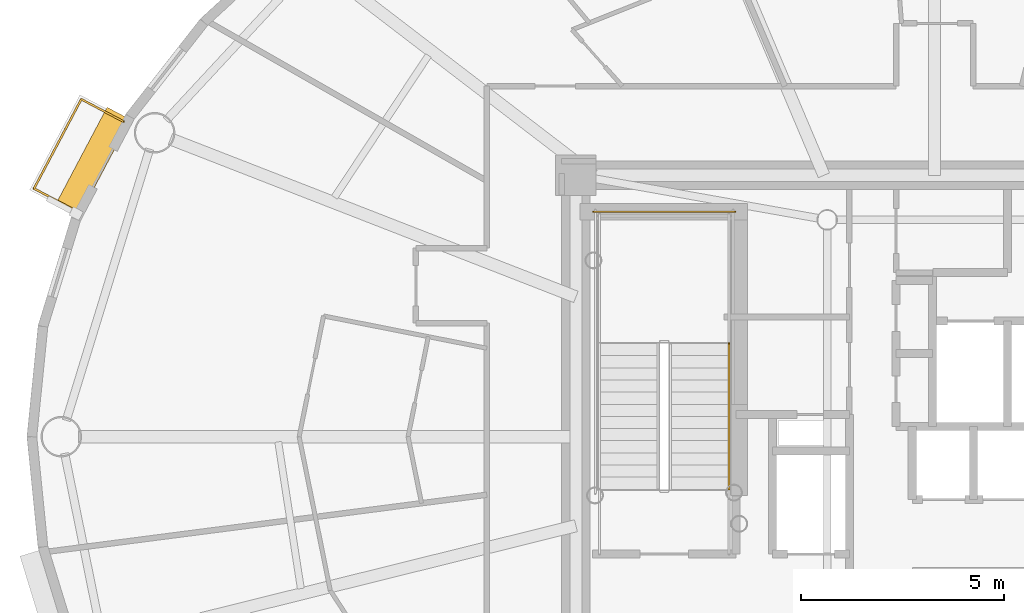
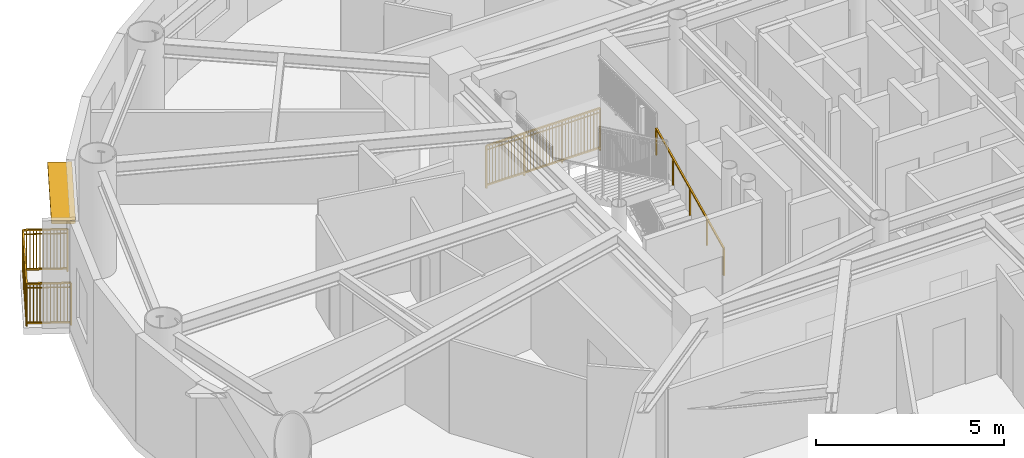
# One storey, part 14 of 17: 3 railings, 1 shading device.
"""IFC4 building model written with IfcOpenShell, lengths in metres."""

from ifc_helpers import new_model, si_unit, direction, frame, origin, origin_2d, place, context, subcontext, project, spatial, rectangle, extrude, source, transform, mapped, material, layer, layer_set, type_object, element, save


model = new_model("IFC4")

# Units and contexts
model_context = context("Model", 3, precision=1e-05, world=origin(), true_north=direction((0.0, 1.0)))
body_context = subcontext(model_context, "Body", "Model", "MODEL_VIEW")
ifc_project = project(units=[si_unit("LENGTHUNIT", "METRE"), si_unit("AREAUNIT", "SQUARE_METRE"), si_unit("VOLUMEUNIT", "CUBIC_METRE"), si_unit("PLANEANGLEUNIT", "RADIAN"), si_unit("MASSUNIT", "GRAM", prefix="KILO")], contexts=[model_context])

# Site, building, storey
site_placement = place(None, origin())
site = spatial("IfcSite", under=ifc_project, at=site_placement, CompositionType="ELEMENT")
building_placement = place(site_placement, origin())
building = spatial("IfcBuilding", under=site, at=building_placement, Name="Linh Dai School and Residence Tower", CompositionType="ELEMENT")
storey_placement = place(building_placement, frame((0.0, 0.0, 303.0)))
storey = spatial("IfcBuildingStorey", under=building, at=storey_placement, Name="L75", CompositionType="ELEMENT", Elevation=303.0)

# Shading device
ifc_material_1 = material(Name="Terracotta Ceramic Sunshade", Category="masonry")
ifc_layer = layer(ifc_material_1, 0.10009765625)
ifc_layer_set = layer_set([ifc_layer], Name="Terracotta Ceramic Sunshade")
shading_device_type = type_object("IfcShadingDeviceType", Name="SHD-TC-650", PredefinedType="USERDEFINED", material=ifc_layer_set)
shared_shape_1 = source(origin(), body_context, "Body", "SweptSolid", [
    extrude(rectangle(XDim=2.739501953125, YDim=0.64990234375, at=origin_2d()), origin(), (0.0, 0.0, 1.0), 0.10009765625),
])
shading_device_placement = place(storey_placement, frame((15.22705078125, 33.766845703125, 3.3798828125), z_axis=(0.0, 0.0, 1.0), x_axis=(0.467603531201, 0.883938310975, 0.0)))
element("IfcShadingDevice", 1, at=shading_device_placement, inside=storey, type_object=shading_device_type, Name="L75 Terracotta Horizontal Sunshade Band 18", ObjectType="SUNSHADE", PredefinedType="USERDEFINED", context=body_context, shape_type="MappedRepresentation", body=[
    mapped(shared_shape_1, transform((0.0, 0.0, 0.0), x_axis=(1.0, 0.0, 0.0), y_axis=(0.0, 1.0, 0.0), z_axis=(0.0, 0.0, 1.0), scale=1.0)),
])

# Railings
ifc_material_2 = material(Name="Structural Steel S355JR", Category="steel")
railing_type_1 = type_object("IfcRailingType", Name="RL-BAL-1400", PredefinedType="BALUSTRADE", material=ifc_material_2)
shared_shape_2 = source(origin(), body_context, "Body", "SweptSolid", [
    extrude(rectangle(XDim=0.048095703125, YDim=0.048095703125, at=origin_2d()), frame((0.0, 0.0, 1.3759765625), z_axis=(-0.883928800226, 0.467621509483, 0.0), x_axis=(-0.467621509483, -0.883928800226, 0.0)), (0.0, 0.0, 1.0), 1.179931640625),
    extrude(rectangle(XDim=0.048095703125, YDim=0.048095703125, at=origin_2d()), frame((0.0, 0.0, 0.10009765625), z_axis=(-0.883928800226, 0.467621509483, 0.0), x_axis=(-0.467621509483, -0.883928800226, 0.0)), (0.0, 0.0, 1.0), 1.179931640625),
    extrude(rectangle(XDim=0.030029296875, YDim=0.030029296875, at=origin_2d()), frame((0.0, 0.0, 1.239990234375), z_axis=(-0.883928800226, 0.467621509483, 0.0), x_axis=(-0.467621509483, -0.883928800226, 0.0)), (0.0, 0.0, 1.0), 1.179931640625),
    extrude(rectangle(XDim=0.02001953125, YDim=0.02001953125, at=origin_2d()), frame((-0.080322265625, 0.04248046875, 0.10009765625)), (0.0, 0.0, 1.0), 1.251708984375),
    extrude(rectangle(XDim=0.02001953125, YDim=0.02001953125, at=origin_2d()), frame((-0.160400390625, 0.0849609375, 0.10009765625)), (0.0, 0.0, 1.0), 1.251708984375),
    extrude(rectangle(XDim=0.02001953125, YDim=0.02001953125, at=origin_2d()), frame((-0.24072265625, 0.12744140625, 0.10009765625)), (0.0, 0.0, 1.0), 1.251708984375),
    extrude(rectangle(XDim=0.02001953125, YDim=0.02001953125, at=origin_2d()), frame((-0.32080078125, 0.169677734375, 0.10009765625)), (0.0, 0.0, 1.0), 1.251708984375),
    extrude(rectangle(XDim=0.02001953125, YDim=0.02001953125, at=origin_2d()), frame((-0.401123046875, 0.212158203125, 0.10009765625)), (0.0, 0.0, 1.0), 1.251708984375),
    extrude(rectangle(XDim=0.02001953125, YDim=0.02001953125, at=origin_2d()), frame((-0.4814453125, 0.254638671875, 0.10009765625)), (0.0, 0.0, 1.0), 1.251708984375),
    extrude(rectangle(XDim=0.02001953125, YDim=0.02001953125, at=origin_2d()), frame((-0.5615234375, 0.297119140625, 0.10009765625)), (0.0, 0.0, 1.0), 1.251708984375),
    extrude(rectangle(XDim=0.02001953125, YDim=0.02001953125, at=origin_2d()), frame((-0.641845703125, 0.339599609375, 0.10009765625)), (0.0, 0.0, 1.0), 1.251708984375),
    extrude(rectangle(XDim=0.02001953125, YDim=0.02001953125, at=origin_2d()), frame((-0.72216796875, 0.382080078125, 0.10009765625)), (0.0, 0.0, 1.0), 1.251708984375),
    extrude(rectangle(XDim=0.02001953125, YDim=0.02001953125, at=origin_2d()), frame((-0.80224609375, 0.42431640625, 0.10009765625)), (0.0, 0.0, 1.0), 1.251708984375),
    extrude(rectangle(XDim=0.02001953125, YDim=0.02001953125, at=origin_2d()), frame((-0.882568359375, 0.466796875, 0.10009765625)), (0.0, 0.0, 1.0), 1.251708984375),
    extrude(rectangle(XDim=0.02001953125, YDim=0.02001953125, at=origin_2d()), frame((-0.962646484375, 0.50927734375, 0.10009765625)), (0.0, 0.0, 1.0), 1.251708984375),
    extrude(rectangle(XDim=0.048095703125, YDim=0.048095703125, at=origin_2d()), frame((-1.04296875, 0.5517578125, 1.3759765625), z_axis=(0.467577317515, 0.883952177522, 0.0), x_axis=(-0.883952177522, 0.467577317515, 0.0)), (0.0, 0.0, 1.0), 2.49365234375),
    extrude(rectangle(XDim=0.048095703125, YDim=0.048095703125, at=origin_2d()), frame((-1.04296875, 0.5517578125, 0.10009765625), z_axis=(0.467577317515, 0.883952177522, 0.0), x_axis=(-0.883952177522, 0.467577317515, 0.0)), (0.0, 0.0, 1.0), 2.49365234375),
    extrude(rectangle(XDim=0.030029296875, YDim=0.030029296875, at=origin_2d()), frame((-1.04296875, 0.5517578125, 1.239990234375), z_axis=(0.467577317515, 0.883952177522, 0.0), x_axis=(-0.883952177522, 0.467577317515, 0.0)), (0.0, 0.0, 1.0), 2.49365234375),
    extrude(rectangle(XDim=0.02001953125, YDim=0.02001953125, at=origin_2d()), frame((-0.998046875, 0.636474609375, 0.10009765625)), (0.0, 0.0, 1.0), 1.251708984375),
    extrude(rectangle(XDim=0.02001953125, YDim=0.02001953125, at=origin_2d()), frame((-0.953369140625, 0.721435546875, 0.10009765625)), (0.0, 0.0, 1.0), 1.251708984375),
    extrude(rectangle(XDim=0.02001953125, YDim=0.02001953125, at=origin_2d()), frame((-0.908447265625, 0.80615234375, 0.10009765625)), (0.0, 0.0, 1.0), 1.251708984375),
    extrude(rectangle(XDim=0.02001953125, YDim=0.02001953125, at=origin_2d()), frame((-0.863525390625, 0.890869140625, 0.10009765625)), (0.0, 0.0, 1.0), 1.251708984375),
    extrude(rectangle(XDim=0.02001953125, YDim=0.02001953125, at=origin_2d()), frame((-0.81884765625, 0.9755859375, 0.10009765625)), (0.0, 0.0, 1.0), 1.251708984375),
    extrude(rectangle(XDim=0.02001953125, YDim=0.02001953125, at=origin_2d()), frame((-0.77392578125, 1.060546875, 0.10009765625)), (0.0, 0.0, 1.0), 1.251708984375),
    extrude(rectangle(XDim=0.02001953125, YDim=0.02001953125, at=origin_2d()), frame((-0.72900390625, 1.145263671875, 0.10009765625)), (0.0, 0.0, 1.0), 1.251708984375),
    extrude(rectangle(XDim=0.02001953125, YDim=0.02001953125, at=origin_2d()), frame((-0.68408203125, 1.22998046875, 0.10009765625)), (0.0, 0.0, 1.0), 1.251708984375),
    extrude(rectangle(XDim=0.02001953125, YDim=0.02001953125, at=origin_2d()), frame((-0.594482421875, 1.399658203125, 0.10009765625)), (0.0, 0.0, 1.0), 1.251708984375),
    extrude(rectangle(XDim=0.02001953125, YDim=0.02001953125, at=origin_2d()), frame((-0.549560546875, 1.484375, 0.10009765625)), (0.0, 0.0, 1.0), 1.251708984375),
    extrude(rectangle(XDim=0.02001953125, YDim=0.02001953125, at=origin_2d()), frame((-0.5048828125, 1.569091796875, 0.10009765625)), (0.0, 0.0, 1.0), 1.251708984375),
    extrude(rectangle(XDim=0.02001953125, YDim=0.02001953125, at=origin_2d()), frame((-0.4599609375, 1.65380859375, 0.10009765625)), (0.0, 0.0, 1.0), 1.251708984375),
    extrude(rectangle(XDim=0.02001953125, YDim=0.02001953125, at=origin_2d()), frame((-0.4150390625, 1.73876953125, 0.10009765625)), (0.0, 0.0, 1.0), 1.251708984375),
    extrude(rectangle(XDim=0.02001953125, YDim=0.02001953125, at=origin_2d()), frame((-0.370361328125, 1.823486328125, 0.10009765625)), (0.0, 0.0, 1.0), 1.251708984375),
    extrude(rectangle(XDim=0.02001953125, YDim=0.02001953125, at=origin_2d()), frame((-0.325439453125, 1.908203125, 0.10009765625)), (0.0, 0.0, 1.0), 1.251708984375),
    extrude(rectangle(XDim=0.02001953125, YDim=0.02001953125, at=origin_2d()), frame((-0.23583984375, 2.077880859375, 0.10009765625)), (0.0, 0.0, 1.0), 1.251708984375),
    extrude(rectangle(XDim=0.02001953125, YDim=0.02001953125, at=origin_2d()), frame((-0.19091796875, 2.16259765625, 0.10009765625)), (0.0, 0.0, 1.0), 1.251708984375),
    extrude(rectangle(XDim=0.02001953125, YDim=0.02001953125, at=origin_2d()), frame((-0.14599609375, 2.247314453125, 0.10009765625)), (0.0, 0.0, 1.0), 1.251708984375),
    extrude(rectangle(XDim=0.02001953125, YDim=0.02001953125, at=origin_2d()), frame((-0.10107421875, 2.332275390625, 0.10009765625)), (0.0, 0.0, 1.0), 1.251708984375),
    extrude(rectangle(XDim=0.02001953125, YDim=0.02001953125, at=origin_2d()), frame((-0.056396484375, 2.4169921875, 0.10009765625)), (0.0, 0.0, 1.0), 1.251708984375),
    extrude(rectangle(XDim=0.02001953125, YDim=0.02001953125, at=origin_2d()), frame((-0.011474609375, 2.501708984375, 0.10009765625)), (0.0, 0.0, 1.0), 1.251708984375),
    extrude(rectangle(XDim=0.02001953125, YDim=0.02001953125, at=origin_2d()), frame((0.033447265625, 2.58642578125, 0.10009765625)), (0.0, 0.0, 1.0), 1.251708984375),
    extrude(rectangle(XDim=0.02001953125, YDim=0.02001953125, at=origin_2d()), frame((0.078125, 2.67138671875, 0.10009765625)), (0.0, 0.0, 1.0), 1.251708984375),
    extrude(rectangle(XDim=0.048095703125, YDim=0.048095703125, at=origin_2d()), frame((0.123046875, 2.756103515625, 1.3759765625), z_axis=(0.883928800226, -0.467621509483, 0.0), x_axis=(0.467621509483, 0.883928800226, 0.0)), (0.0, 0.0, 1.0), 1.179931640625),
    extrude(rectangle(XDim=0.048095703125, YDim=0.048095703125, at=origin_2d()), frame((0.123046875, 2.756103515625, 0.10009765625), z_axis=(0.883928800226, -0.467621509483, 0.0), x_axis=(0.467621509483, 0.883928800226, 0.0)), (0.0, 0.0, 1.0), 1.179931640625),
    extrude(rectangle(XDim=0.030029296875, YDim=0.030029296875, at=origin_2d()), frame((0.123046875, 2.756103515625, 1.239990234375), z_axis=(0.883928800226, -0.467621509483, 0.0), x_axis=(0.467621509483, 0.883928800226, 0.0)), (0.0, 0.0, 1.0), 1.179931640625),
    extrude(rectangle(XDim=0.02001953125, YDim=0.02001953125, at=origin_2d()), frame((0.203369140625, 2.713623046875, 0.10009765625)), (0.0, 0.0, 1.0), 1.251708984375),
    extrude(rectangle(XDim=0.02001953125, YDim=0.02001953125, at=origin_2d()), frame((0.283447265625, 2.671142578125, 0.10009765625)), (0.0, 0.0, 1.0), 1.251708984375),
    extrude(rectangle(XDim=0.02001953125, YDim=0.02001953125, at=origin_2d()), frame((0.36376953125, 2.628662109375, 0.10009765625)), (0.0, 0.0, 1.0), 1.251708984375),
    extrude(rectangle(XDim=0.02001953125, YDim=0.02001953125, at=origin_2d()), frame((0.44384765625, 2.58642578125, 0.10009765625)), (0.0, 0.0, 1.0), 1.251708984375),
    extrude(rectangle(XDim=0.02001953125, YDim=0.02001953125, at=origin_2d()), frame((0.524169921875, 2.5439453125, 0.10009765625)), (0.0, 0.0, 1.0), 1.251708984375),
    extrude(rectangle(XDim=0.02001953125, YDim=0.02001953125, at=origin_2d()), frame((0.6044921875, 2.50146484375, 0.10009765625)), (0.0, 0.0, 1.0), 1.251708984375),
    extrude(rectangle(XDim=0.02001953125, YDim=0.02001953125, at=origin_2d()), frame((0.6845703125, 2.458984375, 0.10009765625)), (0.0, 0.0, 1.0), 1.251708984375),
    extrude(rectangle(XDim=0.02001953125, YDim=0.02001953125, at=origin_2d()), frame((0.764892578125, 2.41650390625, 0.10009765625)), (0.0, 0.0, 1.0), 1.251708984375),
    extrude(rectangle(XDim=0.02001953125, YDim=0.02001953125, at=origin_2d()), frame((0.84521484375, 2.3740234375, 0.10009765625)), (0.0, 0.0, 1.0), 1.251708984375),
    extrude(rectangle(XDim=0.02001953125, YDim=0.02001953125, at=origin_2d()), frame((0.92529296875, 2.331787109375, 0.10009765625)), (0.0, 0.0, 1.0), 1.251708984375),
    extrude(rectangle(XDim=0.02001953125, YDim=0.02001953125, at=origin_2d()), frame((1.005615234375, 2.289306640625, 0.10009765625)), (0.0, 0.0, 1.0), 1.251708984375),
    extrude(rectangle(XDim=0.02001953125, YDim=0.02001953125, at=origin_2d()), frame((1.085693359375, 2.246826171875, 0.10009765625)), (0.0, 0.0, 1.0), 1.251708984375),
    extrude(rectangle(XDim=0.0419921875, YDim=0.0419921875, at=origin_2d()), origin(), (0.0, 0.0, 1.0), 1.3759765625),
    extrude(rectangle(XDim=0.0419921875, YDim=0.0419921875, at=origin_2d()), frame((-1.04296875, 0.5517578125, 0.0)), (0.0, 0.0, 1.0), 1.3759765625),
    extrude(rectangle(XDim=0.0419921875, YDim=0.0419921875, at=origin_2d()), frame((-0.654296875, 1.28662109375, 0.0)), (0.0, 0.0, 1.0), 1.3759765625),
    extrude(rectangle(XDim=0.0419921875, YDim=0.0419921875, at=origin_2d()), frame((-0.265625, 2.021240234375, 0.0)), (0.0, 0.0, 1.0), 1.3759765625),
    extrude(rectangle(XDim=0.0419921875, YDim=0.0419921875, at=origin_2d()), frame((0.123046875, 2.756103515625, 0.0)), (0.0, 0.0, 1.0), 1.3759765625),
    extrude(rectangle(XDim=0.0419921875, YDim=0.0419921875, at=origin_2d()), frame((1.166015625, 2.204345703125, 0.0)), (0.0, 0.0, 1.0), 1.3759765625),
])
railing_1_placement = place(storey_placement, frame((14.82080078125, 32.571044921875, 0.0)))
element("IfcRailing", 2, at=railing_1_placement, inside=storey, type_object=railing_type_1, Name="L75 Balcony Safety Balustrade 18", PredefinedType="BALUSTRADE", context=body_context, shape_type="MappedRepresentation", body=[
    mapped(shared_shape_2, transform((0.0, 0.0, 0.0), x_axis=(1.0, 0.0, 0.0), y_axis=(0.0, 1.0, 0.0), z_axis=(0.0, 0.0, 1.0), scale=1.0)),
])
railing_type_2 = type_object("IfcRailingType", Name="RL-ST-GUARD-1400", PredefinedType="GUARDRAIL", material=ifc_material_2)
shared_shape_3 = source(origin(), body_context, "Body", "SweptSolid", [
    extrude(rectangle(XDim=0.048095703125, YDim=0.048095703125, at=origin_2d()), frame((0.0, 0.0, 1.3759765625), z_axis=(-1.0, 0.0, 0.0), x_axis=(0.0, -1.0, 0.0)), (0.0, 0.0, 1.0), 3.5),
    extrude(rectangle(XDim=0.048095703125, YDim=0.048095703125, at=origin_2d()), frame((0.0, 0.0, 0.10009765625), z_axis=(-1.0, 0.0, 0.0), x_axis=(0.0, -1.0, 0.0)), (0.0, 0.0, 1.0), 3.5),
    extrude(rectangle(XDim=0.030029296875, YDim=0.030029296875, at=origin_2d()), frame((0.0, 0.0, 1.239990234375), z_axis=(-1.0, 0.0, 0.0), x_axis=(0.0, -1.0, 0.0)), (0.0, 0.0, 1.0), 3.5),
    extrude(rectangle(XDim=0.02001953125, YDim=0.02001953125, at=origin_2d()), frame((-0.09716796875, 0.0, 0.10009765625)), (0.0, 0.0, 1.0), 1.251708984375),
    extrude(rectangle(XDim=0.02001953125, YDim=0.02001953125, at=origin_2d()), frame((-0.1943359375, 0.0, 0.10009765625)), (0.0, 0.0, 1.0), 1.251708984375),
    extrude(rectangle(XDim=0.02001953125, YDim=0.02001953125, at=origin_2d()), frame((-0.291748046875, 0.0, 0.10009765625)), (0.0, 0.0, 1.0), 1.251708984375),
    extrude(rectangle(XDim=0.02001953125, YDim=0.02001953125, at=origin_2d()), frame((-0.388916015625, 0.0, 0.10009765625)), (0.0, 0.0, 1.0), 1.251708984375),
    extrude(rectangle(XDim=0.02001953125, YDim=0.02001953125, at=origin_2d()), frame((-0.486083984375, 0.0, 0.10009765625)), (0.0, 0.0, 1.0), 1.251708984375),
    extrude(rectangle(XDim=0.02001953125, YDim=0.02001953125, at=origin_2d()), frame((-0.583251953125, 0.0, 0.10009765625)), (0.0, 0.0, 1.0), 1.251708984375),
    extrude(rectangle(XDim=0.02001953125, YDim=0.02001953125, at=origin_2d()), frame((-0.6806640625, 0.0, 0.10009765625)), (0.0, 0.0, 1.0), 1.251708984375),
    extrude(rectangle(XDim=0.02001953125, YDim=0.02001953125, at=origin_2d()), frame((-0.77783203125, 0.0, 0.10009765625)), (0.0, 0.0, 1.0), 1.251708984375),
    extrude(rectangle(XDim=0.02001953125, YDim=0.02001953125, at=origin_2d()), frame((-0.875, 0.0, 0.10009765625)), (0.0, 0.0, 1.0), 1.251708984375),
    extrude(rectangle(XDim=0.02001953125, YDim=0.02001953125, at=origin_2d()), frame((-0.97216796875, 0.0, 0.10009765625)), (0.0, 0.0, 1.0), 1.251708984375),
    extrude(rectangle(XDim=0.02001953125, YDim=0.02001953125, at=origin_2d()), frame((-1.0693359375, 0.0, 0.10009765625)), (0.0, 0.0, 1.0), 1.251708984375),
    extrude(rectangle(XDim=0.02001953125, YDim=0.02001953125, at=origin_2d()), frame((-1.263916015625, 0.0, 0.10009765625)), (0.0, 0.0, 1.0), 1.251708984375),
    extrude(rectangle(XDim=0.02001953125, YDim=0.02001953125, at=origin_2d()), frame((-1.361083984375, 0.0, 0.10009765625)), (0.0, 0.0, 1.0), 1.251708984375),
    extrude(rectangle(XDim=0.02001953125, YDim=0.02001953125, at=origin_2d()), frame((-1.458251953125, 0.0, 0.10009765625)), (0.0, 0.0, 1.0), 1.251708984375),
    extrude(rectangle(XDim=0.02001953125, YDim=0.02001953125, at=origin_2d()), frame((-1.5556640625, 0.0, 0.10009765625)), (0.0, 0.0, 1.0), 1.251708984375),
    extrude(rectangle(XDim=0.02001953125, YDim=0.02001953125, at=origin_2d()), frame((-1.65283203125, 0.0, 0.10009765625)), (0.0, 0.0, 1.0), 1.251708984375),
    extrude(rectangle(XDim=0.02001953125, YDim=0.02001953125, at=origin_2d()), frame((-1.75, 0.0, 0.10009765625)), (0.0, 0.0, 1.0), 1.251708984375),
    extrude(rectangle(XDim=0.02001953125, YDim=0.02001953125, at=origin_2d()), frame((-1.84716796875, 0.0, 0.10009765625)), (0.0, 0.0, 1.0), 1.251708984375),
    extrude(rectangle(XDim=0.02001953125, YDim=0.02001953125, at=origin_2d()), frame((-1.9443359375, 0.0, 0.10009765625)), (0.0, 0.0, 1.0), 1.251708984375),
    extrude(rectangle(XDim=0.02001953125, YDim=0.02001953125, at=origin_2d()), frame((-2.041748046875, 0.0, 0.10009765625)), (0.0, 0.0, 1.0), 1.251708984375),
    extrude(rectangle(XDim=0.02001953125, YDim=0.02001953125, at=origin_2d()), frame((-2.138916015625, 0.0, 0.10009765625)), (0.0, 0.0, 1.0), 1.251708984375),
    extrude(rectangle(XDim=0.02001953125, YDim=0.02001953125, at=origin_2d()), frame((-2.236083984375, 0.0, 0.10009765625)), (0.0, 0.0, 1.0), 1.251708984375),
    extrude(rectangle(XDim=0.02001953125, YDim=0.02001953125, at=origin_2d()), frame((-2.4306640625, 0.0, 0.10009765625)), (0.0, 0.0, 1.0), 1.251708984375),
    extrude(rectangle(XDim=0.02001953125, YDim=0.02001953125, at=origin_2d()), frame((-2.52783203125, 0.0, 0.10009765625)), (0.0, 0.0, 1.0), 1.251708984375),
    extrude(rectangle(XDim=0.02001953125, YDim=0.02001953125, at=origin_2d()), frame((-2.625, 0.0, 0.10009765625)), (0.0, 0.0, 1.0), 1.251708984375),
    extrude(rectangle(XDim=0.02001953125, YDim=0.02001953125, at=origin_2d()), frame((-2.72216796875, 0.0, 0.10009765625)), (0.0, 0.0, 1.0), 1.251708984375),
    extrude(rectangle(XDim=0.02001953125, YDim=0.02001953125, at=origin_2d()), frame((-2.8193359375, 0.0, 0.10009765625)), (0.0, 0.0, 1.0), 1.251708984375),
    extrude(rectangle(XDim=0.02001953125, YDim=0.02001953125, at=origin_2d()), frame((-2.916748046875, 0.0, 0.10009765625)), (0.0, 0.0, 1.0), 1.251708984375),
    extrude(rectangle(XDim=0.02001953125, YDim=0.02001953125, at=origin_2d()), frame((-3.013916015625, 0.0, 0.10009765625)), (0.0, 0.0, 1.0), 1.251708984375),
    extrude(rectangle(XDim=0.02001953125, YDim=0.02001953125, at=origin_2d()), frame((-3.111083984375, 0.0, 0.10009765625)), (0.0, 0.0, 1.0), 1.251708984375),
    extrude(rectangle(XDim=0.02001953125, YDim=0.02001953125, at=origin_2d()), frame((-3.208251953125, 0.0, 0.10009765625)), (0.0, 0.0, 1.0), 1.251708984375),
    extrude(rectangle(XDim=0.02001953125, YDim=0.02001953125, at=origin_2d()), frame((-3.3056640625, 0.0, 0.10009765625)), (0.0, 0.0, 1.0), 1.251708984375),
    extrude(rectangle(XDim=0.02001953125, YDim=0.02001953125, at=origin_2d()), frame((-3.40283203125, 0.0, 0.10009765625)), (0.0, 0.0, 1.0), 1.251708984375),
    extrude(rectangle(XDim=0.0419921875, YDim=0.0419921875, at=origin_2d()), origin(), (0.0, 0.0, 1.0), 1.3759765625),
    extrude(rectangle(XDim=0.0419921875, YDim=0.0419921875, at=origin_2d()), frame((-1.166748046875, 0.0, 0.0)), (0.0, 0.0, 1.0), 1.3759765625),
    extrude(rectangle(XDim=0.0419921875, YDim=0.0419921875, at=origin_2d()), frame((-2.333251953125, 0.0, 0.0)), (0.0, 0.0, 1.0), 1.3759765625),
    extrude(rectangle(XDim=0.0419921875, YDim=0.0419921875, at=origin_2d()), frame((-3.5, 0.0, 0.0)), (0.0, 0.0, 1.0), 1.3759765625),
])
railing_2_placement = place(storey_placement, frame((31.080078125, 32.550048828125, 0.0)))
element("IfcRailing", 3, at=railing_2_placement, inside=storey, type_object=railing_type_2, Name="L75 ST1 stair guard 12", PredefinedType="GUARDRAIL", context=body_context, shape_type="MappedRepresentation", body=[
    mapped(shared_shape_3, transform((0.0, 0.0, 0.0), x_axis=(1.0, 0.0, 0.0), y_axis=(0.0, 1.0, 0.0), z_axis=(0.0, 0.0, 1.0), scale=1.0)),
])
ifc_material_3 = material(Name="Brushed Stainless Steel Handrail", Category="steel")
railing_type_3 = type_object("IfcRailingType", Name="RL-ST-HANDRAIL-900", PredefinedType="HANDRAIL", material=ifc_material_3)
shared_shape_4 = source(origin(), body_context, "Body", "SweptSolid", [
    extrude(rectangle(XDim=0.048095703125, YDim=0.048095703125, at=origin_2d()), frame((0.0, 0.0, 0.8759765625), z_axis=(0.0, 0.901262522062, 0.433273431364), x_axis=(-1.0, 0.0, 0.0)), (0.0, 0.0, 1.0), 3.994384765625),
    extrude(rectangle(XDim=0.0419921875, YDim=0.0419921875, at=origin_2d()), origin(), (0.0, 0.0, 1.0), 0.8759765625),
    extrude(rectangle(XDim=0.0419921875, YDim=0.0419921875, at=origin_2d()), frame((0.0, 0.89990234375, 0.4326171875)), (0.0, 0.0, 1.0), 0.8759765625),
    extrude(rectangle(XDim=0.0419921875, YDim=0.0419921875, at=origin_2d()), frame((0.0, 1.800048828125, 0.865234375)), (0.0, 0.0, 1.0), 0.8759765625),
    extrude(rectangle(XDim=0.0419921875, YDim=0.0419921875, at=origin_2d()), frame((0.0, 2.7001953125, 1.298095703125)), (0.0, 0.0, 1.0), 0.8759765625),
    extrude(rectangle(XDim=0.0419921875, YDim=0.0419921875, at=origin_2d()), frame((0.0, 3.60009765625, 1.730712890625)), (0.0, 0.0, 1.0), 0.8759765625),
])
railing_3_placement = place(storey_placement, frame((30.929931640625, 25.699951171875, 0.144287109375)))
element("IfcRailing", 4, at=railing_3_placement, inside=storey, type_object=railing_type_3, Name="L75 ST1 stair handrail 1", PredefinedType="HANDRAIL", context=body_context, shape_type="MappedRepresentation", body=[
    mapped(shared_shape_4, transform((0.0, 0.0, 0.0), x_axis=(1.0, 0.0, 0.0), y_axis=(0.0, 1.0, 0.0), z_axis=(0.0, 0.0, 1.0), scale=1.0)),
])

save(model, "model.ifc")
